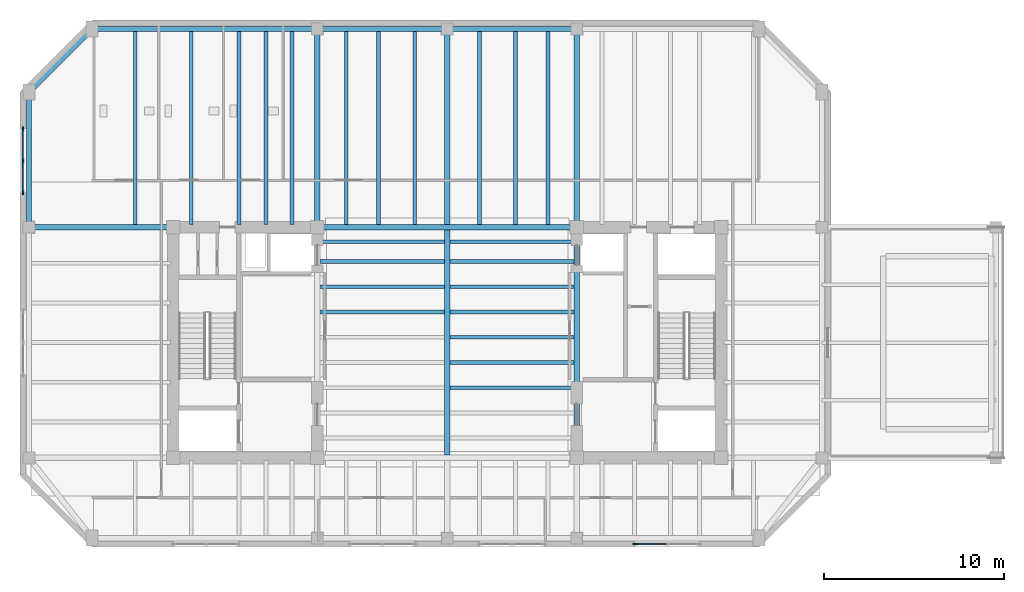
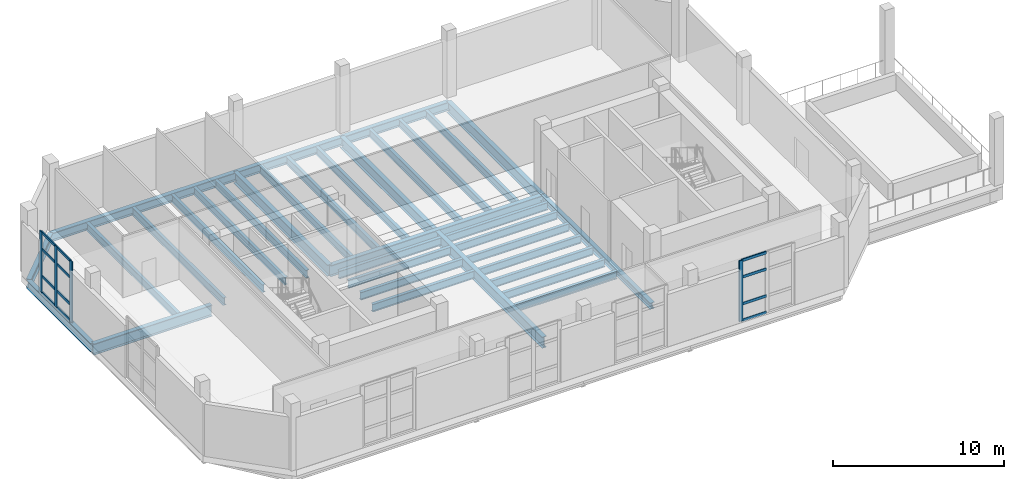
# One storey, part 3 of 11: 34 beams, 16 members, 2 elements without a shape of their own.
"""IFC4 building model written with IfcOpenShell, lengths in metres."""

from ifc_helpers import new_model, si_unit, direction, frame, origin, origin_2d, place, context, subcontext, project, spatial, rectangle, i_section, extrude, material, layer, layer_set, material_profile, profile_set, type_object, element, aggregate, save


model = new_model("IFC4")

# Units and contexts
model_context = context("Model", 3, precision=1e-05, world=origin(), true_north=direction((0.0, 1.0)))
body_context = subcontext(model_context, "Body", "Model", "MODEL_VIEW")
ifc_project = project(units=[si_unit("LENGTHUNIT", "METRE"), si_unit("AREAUNIT", "SQUARE_METRE"), si_unit("VOLUMEUNIT", "CUBIC_METRE"), si_unit("PLANEANGLEUNIT", "RADIAN"), si_unit("MASSUNIT", "GRAM", prefix="KILO")], contexts=[model_context])

# Site, building, storey
site_placement = place(None, origin())
site = spatial("IfcSite", under=ifc_project, at=site_placement, CompositionType="ELEMENT")
building_placement = place(site_placement, origin())
building = spatial("IfcBuilding", under=site, at=building_placement, Name="Kranthara Brick Stack", CompositionType="ELEMENT")
storey_placement = place(building_placement, frame((0.0, 0.0, 287.39990234375)))
storey = spatial("IfcBuildingStorey", under=building, at=storey_placement, Name="L76", CompositionType="ELEMENT", Elevation=287.39990234375)

# Beams
ifc_material_1 = material(Name="Steel S355", Category="steel")
ifc_material_profile_1 = material_profile(ifc_material_1, i_section(OverallWidth=0.2099609375, OverallDepth=0.550048828125, WebThickness=0.010986328125, FlangeThickness=0.01708984375, at=origin_2d()), Name="IPE 550")
ifc_profile_set_1 = profile_set([ifc_material_profile_1], Name="Steel S355")
beam_type_1 = type_object("IfcBeamType", Name="BM-JST-IPE550", PredefinedType="JOIST", material=ifc_profile_set_1)
for number, where, z_axis, x_axis, name in (
    (1, (28.14990234375, 24.699951171875, -0.724853515625), (1.0, 0.0, 0.0), (0.0, 1.0, 0.0), "L76 Central Floor Joist 037"),
    (2, (28.14990234375, 26.10009765625, -0.724853515625), (1.0, 0.0, 0.0), (0.0, 1.0, 0.0), "L76 Central Floor Joist 039"),
    (3, (28.14990234375, 27.5, -0.724853515625), (1.0, 0.0, 0.0), (0.0, 1.0, 0.0), "L76 Central Floor Joist 041"),
    (4, (20.949951171875, 28.89990234375, -0.724853515625), (1.0, 0.0, 0.0), (0.0, 1.0, 0.0), "L76 Central Floor Joist 042"),
    (5, (28.14990234375, 28.89990234375, -0.724853515625), (1.0, 0.0, 0.0), (0.0, 1.0, 0.0), "L76 Central Floor Joist 043"),
    (6, (20.949951171875, 30.300048828125, -0.724853515625), (1.0, 0.0, 0.0), (0.0, 1.0, 0.0), "L76 Central Floor Joist 044"),
    (7, (28.14990234375, 30.300048828125, -0.724853515625), (1.0, 0.0, 0.0), (0.0, 1.0, 0.0), "L76 Central Floor Joist 045"),
    (8, (20.949951171875, 31.699951171875, -0.724853515625), (1.0, 0.0, 0.0), (0.0, 1.0, 0.0), "L76 Central Floor Joist 046"),
    (9, (28.14990234375, 31.699951171875, -0.724853515625), (1.0, 0.0, 0.0), (0.0, 1.0, 0.0), "L76 Central Floor Joist 047"),
    (10, (20.949951171875, 32.800048828125, -0.724853515625), (1.0, 0.0, 0.0), (0.0, 1.0, 0.0), "L76 Central Floor Joist 048"),
    (11, (28.14990234375, 32.800048828125, -0.724853515625), (1.0, 0.0, 0.0), (0.0, 1.0, 0.0), "L76 Central Floor Joist 049"),
):
    element("IfcBeam", number, at=place(storey_placement, frame(where, z_axis=z_axis, x_axis=x_axis)), inside=storey, type_object=beam_type_1, Name=name, PredefinedType="JOIST", context=body_context, shape_type="SweptSolid", body=[
        extrude(i_section(OverallWidth=0.2099609375, OverallDepth=0.550048828125, WebThickness=0.010986328125, FlangeThickness=0.01708984375, at=origin_2d()), origin(), (0.0, 0.0, 1.0), 6.900146484375),
    ])
for number, where, z_axis, x_axis, name in (
    (12, (10.699951171875, 33.75, -0.724853515625), (0.0, 1.0, 0.0), (-1.0, 0.0, 0.0), "L76 North Wing Floor Joist 051"),
    (13, (13.800048828125, 33.75, -0.724853515625), (0.0, 1.0, 0.0), (-1.0, 0.0, 0.0), "L76 North Wing Floor Joist 053"),
    (14, (16.449951171875, 33.75, -0.724853515625), (0.0, 1.0, 0.0), (-1.0, 0.0, 0.0), "L76 North Wing Floor Joist 055"),
    (15, (17.949951171875, 33.75, -0.724853515625), (0.0, 1.0, 0.0), (-1.0, 0.0, 0.0), "L76 North Wing Floor Joist 057"),
    (16, (19.39990234375, 33.75, -0.724853515625), (0.0, 1.0, 0.0), (-1.0, 0.0, 0.0), "L76 North Wing Floor Joist 059"),
    (17, (22.39990234375, 33.75, -0.724853515625), (0.0, 1.0, 0.0), (-1.0, 0.0, 0.0), "L76 North Wing Floor Joist 061"),
    (18, (24.199951171875, 33.75, -0.724853515625), (0.0, 1.0, 0.0), (-1.0, 0.0, 0.0), "L76 North Wing Floor Joist 063"),
    (19, (26.199951171875, 33.75, -0.724853515625), (0.0, 1.0, 0.0), (-1.0, 0.0, 0.0), "L76 North Wing Floor Joist 065"),
    (20, (29.800048828125, 33.75, -0.724853515625), (0.0, 1.0, 0.0), (-1.0, 0.0, 0.0), "L76 North Wing Floor Joist 067"),
    (21, (31.800048828125, 33.75, -0.724853515625), (0.0, 1.0, 0.0), (-1.0, 0.0, 0.0), "L76 North Wing Floor Joist 069"),
    (22, (33.60009765625, 33.75, -0.724853515625), (0.0, 1.0, 0.0), (-1.0, 0.0, 0.0), "L76 North Wing Floor Joist 071"),
):
    element("IfcBeam", number, at=place(storey_placement, frame(where, z_axis=z_axis, x_axis=x_axis)), inside=storey, type_object=beam_type_1, Name=name, PredefinedType="JOIST", context=body_context, shape_type="SweptSolid", body=[
        extrude(i_section(OverallWidth=0.2099609375, OverallDepth=0.550048828125, WebThickness=0.010986328125, FlangeThickness=0.01708984375, at=origin_2d()), origin(), (0.0, 0.0, 1.0), 10.699951171875),
    ])
ifc_material_2 = material(Name="Steel S355", Category="steel")
ifc_material_profile_2 = material_profile(ifc_material_2, i_section(OverallWidth=0.300048828125, OverallDepth=0.449951171875, WebThickness=0.013916015625, FlangeThickness=0.02587890625, at=origin_2d()), Name="HEB 450")
ifc_profile_set_2 = profile_set([ifc_material_profile_2], Name="Steel S355")
beam_type_2 = type_object("IfcBeamType", Name="BM-STL-HEB450", PredefinedType="SPANDREL", material=ifc_profile_set_2)
beam_1_placement = place(storey_placement, frame((35.199951171875, 20.800048828125, -0.6748046875), z_axis=(0.0, 1.0, 0.0), x_axis=(-1.0, 0.0, 0.0)))
element("IfcBeam", 23, at=beam_1_placement, inside=storey, type_object=beam_type_2, Name="L76 Core Edge Tie Beam 004", PredefinedType="SPANDREL", context=body_context, shape_type="SweptSolid", body=[
    extrude(i_section(OverallWidth=0.300048828125, OverallDepth=0.449951171875, WebThickness=0.013916015625, FlangeThickness=0.02587890625, at=origin_2d()), origin(), (0.0, 0.0, 1.0), 12.800048828125),
])
ifc_material_3 = material(Name="Steel S355", Category="steel")
ifc_material_profile_3 = material_profile(ifc_material_3, i_section(OverallWidth=0.300048828125, OverallDepth=0.60009765625, WebThickness=0.015380859375, FlangeThickness=0.030029296875, at=origin_2d()), Name="HEB 600")
ifc_profile_set_3 = profile_set([ifc_material_profile_3], Name="Steel S355")
beam_type_3 = type_object("IfcBeamType", Name="BM-STL-HEB600", PredefinedType="BEAM", material=ifc_profile_set_3)
beam_2_placement = place(storey_placement, frame((8.300048828125, 44.60009765625, -0.75), z_axis=(1.0, 0.0, 0.0), x_axis=(0.0, 1.0, 0.0)))
element("IfcBeam", 24, at=beam_2_placement, inside=storey, type_object=beam_type_3, Name="L76 Perimeter Spandrel Beam 009", PredefinedType="BEAM", context=body_context, shape_type="SweptSolid", body=[
    extrude(i_section(OverallWidth=0.300048828125, OverallDepth=0.60009765625, WebThickness=0.015380859375, FlangeThickness=0.030029296875, at=origin_2d()), origin(), (0.0, 0.0, 1.0), 12.5),
])
for number, where, z_axis, x_axis, name in (
    (25, (20.800048828125, 44.60009765625, -0.75), (1.0, 0.0, 0.0), (0.0, 1.0, 0.0), "L76 Perimeter Spandrel Beam 010"),
    (26, (28.0, 44.60009765625, -0.75), (1.0, 0.0, 0.0), (0.0, 1.0, 0.0), "L76 Perimeter Spandrel Beam 011"),
):
    element("IfcBeam", number, at=place(storey_placement, frame(where, z_axis=z_axis, x_axis=x_axis)), inside=storey, type_object=beam_type_3, Name=name, PredefinedType="BEAM", context=body_context, shape_type="SweptSolid", body=[
        extrude(i_section(OverallWidth=0.300048828125, OverallDepth=0.60009765625, WebThickness=0.015380859375, FlangeThickness=0.030029296875, at=origin_2d()), origin(), (0.0, 0.0, 1.0), 7.199951171875),
    ])
beam_3_placement = place(storey_placement, frame((4.800048828125, 33.60009765625, -0.75), z_axis=(0.0, 1.0, 0.0), x_axis=(-1.0, 0.0, 0.0)))
element("IfcBeam", 27, at=beam_3_placement, inside=storey, type_object=beam_type_3, Name="L76 Perimeter Spandrel Beam 014", PredefinedType="BEAM", context=body_context, shape_type="SweptSolid", body=[
    extrude(i_section(OverallWidth=0.300048828125, OverallDepth=0.60009765625, WebThickness=0.015380859375, FlangeThickness=0.030029296875, at=origin_2d()), origin(), (0.0, 0.0, 1.0), 7.5),
])
beam_4_placement = place(storey_placement, frame((8.300048828125, 44.60009765625, -0.75), z_axis=(-0.707106781187, -0.707106781187, 0.0), x_axis=(0.707106781187, -0.707106781187, 0.0)))
element("IfcBeam", 28, at=beam_4_placement, inside=storey, type_object=beam_type_3, Name="L76 Chamfer Corner Spandrel 019", PredefinedType="BEAM", context=body_context, shape_type="SweptSolid", body=[
    extrude(i_section(OverallWidth=0.300048828125, OverallDepth=0.60009765625, WebThickness=0.015380859375, FlangeThickness=0.030029296875, at=origin_2d()), origin(), (0.0, 0.0, 1.0), 4.94970703125),
])
ifc_material_4 = material(Name="Steel S355", Category="steel")
ifc_material_profile_4 = material_profile(ifc_material_4, i_section(OverallWidth=0.300048828125, OverallDepth=0.800048828125, WebThickness=0.017578125, FlangeThickness=0.032958984375, at=origin_2d()), Name="HEB 800")
ifc_profile_set_4 = profile_set([ifc_material_profile_4], Name="Steel S355")
beam_type_4 = type_object("IfcBeamType", Name="BM-TR-HEB800", PredefinedType="BEAM", material=ifc_profile_set_4)
beam_5_placement = place(storey_placement, frame((20.800048828125, 33.60009765625, -0.849853515625), z_axis=(1.0, 0.0, 0.0), x_axis=(0.0, 1.0, 0.0)))
element("IfcBeam", 29, at=beam_5_placement, inside=storey, type_object=beam_type_4, Name="L76 Core Coupling Beam 002", PredefinedType="BEAM", context=body_context, shape_type="SweptSolid", body=[
    extrude(i_section(OverallWidth=0.300048828125, OverallDepth=0.800048828125, WebThickness=0.017578125, FlangeThickness=0.032958984375, at=origin_2d()), origin(), (0.0, 0.0, 1.0), 14.39990234375),
])
beam_6_placement = place(storey_placement, frame((20.800048828125, 33.60009765625, -0.849853515625), z_axis=(0.0, 1.0, 0.0), x_axis=(-1.0, 0.0, 0.0)))
element("IfcBeam", 30, at=beam_6_placement, inside=storey, type_object=beam_type_4, Name="L76 Primary Grid Girder 022", PredefinedType="BEAM", context=body_context, shape_type="SweptSolid", body=[
    extrude(i_section(OverallWidth=0.300048828125, OverallDepth=0.800048828125, WebThickness=0.017578125, FlangeThickness=0.032958984375, at=origin_2d()), origin(), (0.0, 0.0, 1.0), 11.0),
])
beam_7_placement = place(storey_placement, frame((28.0, 20.949951171875, -0.849853515625), z_axis=(0.0, 1.0, 0.0), x_axis=(-1.0, 0.0, 0.0)))
element("IfcBeam", 31, at=beam_7_placement, inside=storey, type_object=beam_type_4, Name="L76 Central Spine Girder 024", PredefinedType="BEAM", context=body_context, shape_type="SweptSolid", body=[
    extrude(i_section(OverallWidth=0.300048828125, OverallDepth=0.800048828125, WebThickness=0.017578125, FlangeThickness=0.032958984375, at=origin_2d()), origin(), (0.0, 0.0, 1.0), 12.5),
])
beam_8_placement = place(storey_placement, frame((28.0, 33.75, -0.849853515625), z_axis=(0.0, 1.0, 0.0), x_axis=(-1.0, 0.0, 0.0)))
element("IfcBeam", 32, at=beam_8_placement, inside=storey, type_object=beam_type_4, Name="L76 Primary Grid Girder 025", PredefinedType="BEAM", context=body_context, shape_type="SweptSolid", body=[
    extrude(i_section(OverallWidth=0.300048828125, OverallDepth=0.800048828125, WebThickness=0.017578125, FlangeThickness=0.032958984375, at=origin_2d()), origin(), (0.0, 0.0, 1.0), 10.85009765625),
])
beam_9_placement = place(storey_placement, frame((35.199951171875, 33.60009765625, -0.849853515625), z_axis=(0.0, 1.0, 0.0), x_axis=(-1.0, 0.0, 0.0)))
element("IfcBeam", 33, at=beam_9_placement, inside=storey, type_object=beam_type_4, Name="L76 Primary Grid Girder 027", PredefinedType="BEAM", context=body_context, shape_type="SweptSolid", body=[
    extrude(i_section(OverallWidth=0.300048828125, OverallDepth=0.800048828125, WebThickness=0.017578125, FlangeThickness=0.032958984375, at=origin_2d()), origin(), (0.0, 0.0, 1.0), 11.0),
])
beam_10_placement = place(storey_placement, frame((4.800048828125, 33.60009765625, -0.849853515625), z_axis=(1.0, 0.0, 0.0), x_axis=(0.0, 1.0, 0.0)))
element("IfcBeam", 34, at=beam_10_placement, inside=storey, type_object=beam_type_4, Name="L76 Primary Grid Girder 030", PredefinedType="BEAM", context=body_context, shape_type="SweptSolid", body=[
    extrude(i_section(OverallWidth=0.300048828125, OverallDepth=0.800048828125, WebThickness=0.017578125, FlangeThickness=0.032958984375, at=origin_2d()), origin(), (0.0, 0.0, 1.0), 8.0),
])

# Curtain wall, member
ifc_material_5 = material(Name="Bronze anodised aluminium and low-E glass", Category="aluminium")
ifc_layer = layer(ifc_material_5, 0.239990234375)
ifc_layer_set = layer_set([ifc_layer], Name="Bronze anodised aluminium and low-E glass")
curtain_wall_type = type_object("IfcCurtainWallType", Name="CW-SYS5-SKYPOOL", PredefinedType="USERDEFINED", material=ifc_layer_set)
curtain_wall_1_placement = place(storey_placement, origin())
curtain_wall_1 = element("IfcCurtainWall", 35, at=curtain_wall_1_placement, inside=storey, type_object=curtain_wall_type, Name="L76 Curtain Wall CW5-L76-01", ObjectType="UNITISED CURTAIN WALL", PredefinedType="USERDEFINED")
ifc_material_6 = material(Name="Bronze anodised aluminium 6063-T6", Category="aluminium")
ifc_material_profile_5 = material_profile(ifc_material_6, rectangle(XDim=0.080078125, YDim=0.25, at=origin_2d()), Name="ALU MULLION 80x250")
ifc_profile_set_5 = profile_set([ifc_material_profile_5], Name="Bronze anodised aluminium 6063-T6")
member_type_1 = type_object("IfcMemberType", Name="CWM-80x250", PredefinedType="MULLION", material=ifc_profile_set_5)
member_1_placement = place(storey_placement, frame((38.427978515625, 16.02001953125, 0.0), z_axis=(0.0, 0.0, 1.0), x_axis=(0.0, -1.0, 0.0)))
member_1 = element("IfcMember", 36, at=member_1_placement, type_object=member_type_1, Name="CW mullion 3", PredefinedType="MULLION", context=body_context, shape_type="SweptSolid", body=[
    extrude(rectangle(XDim=0.080078125, YDim=0.25, at=origin_2d()), origin(), (0.0, 0.0, 1.0), 4.35009765625),
])

# Curtain wall, members
curtain_wall_2_placement = place(storey_placement, origin())
curtain_wall_2 = element("IfcCurtainWall", 37, at=curtain_wall_2_placement, inside=storey, type_object=curtain_wall_type, Name="L76 Curtain Wall CW5-L76-06", ObjectType="UNITISED CURTAIN WALL", PredefinedType="USERDEFINED")
member_2_placement = place(storey_placement, frame((4.469970703125, 35.527099609375, 0.0), z_axis=(0.0, 0.0, 1.0), x_axis=(-1.0, 0.0, 0.0)))
member_2 = element("IfcMember", 38, at=member_2_placement, type_object=member_type_1, Name="CW mullion 1", PredefinedType="MULLION", context=body_context, shape_type="SweptSolid", body=[
    extrude(rectangle(XDim=0.080078125, YDim=0.25, at=origin_2d()), origin(), (0.0, 0.0, 1.0), 4.35009765625),
])
member_3_placement = place(storey_placement, frame((4.469970703125, 37.28759765625, 0.0), z_axis=(0.0, 0.0, 1.0), x_axis=(-1.0, 0.0, 0.0)))
member_3 = element("IfcMember", 39, at=member_3_placement, type_object=member_type_1, Name="CW mullion 2", PredefinedType="MULLION", context=body_context, shape_type="SweptSolid", body=[
    extrude(rectangle(XDim=0.080078125, YDim=0.25, at=origin_2d()), origin(), (0.0, 0.0, 1.0), 4.35009765625),
])
member_4_placement = place(storey_placement, frame((4.469970703125, 39.048095703125, 0.0), z_axis=(0.0, 0.0, 1.0), x_axis=(-1.0, 0.0, 0.0)))
member_4 = element("IfcMember", 40, at=member_4_placement, type_object=member_type_1, Name="CW mullion 3", PredefinedType="MULLION", context=body_context, shape_type="SweptSolid", body=[
    extrude(rectangle(XDim=0.080078125, YDim=0.25, at=origin_2d()), origin(), (0.0, 0.0, 1.0), 4.35009765625),
])

# Member
ifc_material_7 = material(Name="Bronze anodised aluminium 6063-T6", Category="aluminium")
ifc_material_profile_6 = material_profile(ifc_material_7, rectangle(XDim=0.080078125, YDim=0.18994140625, at=origin_2d()), Name="ALU TRANSOM 80x190")
ifc_profile_set_6 = profile_set([ifc_material_profile_6], Name="Bronze anodised aluminium 6063-T6")
member_type_2 = type_object("IfcMemberType", Name="CWT-80x190", PredefinedType="USERDEFINED", material=ifc_profile_set_6)
member_5_placement = place(storey_placement, frame((40.14794921875, 16.02001953125, 0.0400390625), z_axis=(-1.0, 0.0, 0.0), x_axis=(0.0, -1.0, 0.0)))
member_5 = element("IfcMember", 41, at=member_5_placement, type_object=member_type_2, Name="CW transom 2.1", ObjectType="TRANSOM", PredefinedType="USERDEFINED", context=body_context, shape_type="SweptSolid", body=[
    extrude(rectangle(XDim=0.080078125, YDim=0.18994140625, at=origin_2d()), origin(), (0.0, 0.0, 1.0), 1.679931640625),
])

member_6_placement = place(storey_placement, frame((40.14794921875, 16.02001953125, 1.218017578125), z_axis=(-1.0, 0.0, 0.0), x_axis=(0.0, -1.0, 0.0)))
member_6 = element("IfcMember", 42, at=member_6_placement, type_object=member_type_2, Name="CW transom 2.2", ObjectType="TRANSOM", PredefinedType="USERDEFINED", context=body_context, shape_type="SweptSolid", body=[
    extrude(rectangle(XDim=0.080078125, YDim=0.18994140625, at=origin_2d()), origin(), (0.0, 0.0, 1.0), 1.679931640625),
])

member_7_placement = place(storey_placement, frame((40.14794921875, 16.02001953125, 3.132080078125), z_axis=(-1.0, 0.0, 0.0), x_axis=(0.0, -1.0, 0.0)))
member_7 = element("IfcMember", 43, at=member_7_placement, type_object=member_type_2, Name="CW transom 2.3", ObjectType="TRANSOM", PredefinedType="USERDEFINED", context=body_context, shape_type="SweptSolid", body=[
    extrude(rectangle(XDim=0.080078125, YDim=0.18994140625, at=origin_2d()), origin(), (0.0, 0.0, 1.0), 1.679931640625),
])

member_8_placement = place(storey_placement, frame((40.14794921875, 16.02001953125, 4.31005859375), z_axis=(-1.0, 0.0, 0.0), x_axis=(0.0, -1.0, 0.0)))
member_8 = element("IfcMember", 44, at=member_8_placement, type_object=member_type_2, Name="CW transom 2.4", ObjectType="TRANSOM", PredefinedType="USERDEFINED", context=body_context, shape_type="SweptSolid", body=[
    extrude(rectangle(XDim=0.080078125, YDim=0.18994140625, at=origin_2d()), origin(), (0.0, 0.0, 1.0), 1.679931640625),
])

aggregate(curtain_wall_1, [member_1, member_5, member_6, member_7, member_8])

member_9_placement = place(storey_placement, frame((4.469970703125, 35.56689453125, 0.0400390625), z_axis=(0.0, 1.0, 0.0), x_axis=(-1.0, 0.0, 0.0)))
member_9 = element("IfcMember", 45, at=member_9_placement, type_object=member_type_2, Name="CW transom 1.1", ObjectType="TRANSOM", PredefinedType="USERDEFINED", context=body_context, shape_type="SweptSolid", body=[
    extrude(rectangle(XDim=0.080078125, YDim=0.18994140625, at=origin_2d()), origin(), (0.0, 0.0, 1.0), 1.6806640625),
])

member_10_placement = place(storey_placement, frame((4.469970703125, 35.56689453125, 1.218017578125), z_axis=(0.0, 1.0, 0.0), x_axis=(-1.0, 0.0, 0.0)))
member_10 = element("IfcMember", 46, at=member_10_placement, type_object=member_type_2, Name="CW transom 1.2", ObjectType="TRANSOM", PredefinedType="USERDEFINED", context=body_context, shape_type="SweptSolid", body=[
    extrude(rectangle(XDim=0.080078125, YDim=0.18994140625, at=origin_2d()), origin(), (0.0, 0.0, 1.0), 1.6806640625),
])

member_11_placement = place(storey_placement, frame((4.469970703125, 35.56689453125, 3.132080078125), z_axis=(0.0, 1.0, 0.0), x_axis=(-1.0, 0.0, 0.0)))
member_11 = element("IfcMember", 47, at=member_11_placement, type_object=member_type_2, Name="CW transom 1.3", ObjectType="TRANSOM", PredefinedType="USERDEFINED", context=body_context, shape_type="SweptSolid", body=[
    extrude(rectangle(XDim=0.080078125, YDim=0.18994140625, at=origin_2d()), origin(), (0.0, 0.0, 1.0), 1.6806640625),
])

member_12_placement = place(storey_placement, frame((4.469970703125, 35.56689453125, 4.31005859375), z_axis=(0.0, 1.0, 0.0), x_axis=(-1.0, 0.0, 0.0)))
member_12 = element("IfcMember", 48, at=member_12_placement, type_object=member_type_2, Name="CW transom 1.4", ObjectType="TRANSOM", PredefinedType="USERDEFINED", context=body_context, shape_type="SweptSolid", body=[
    extrude(rectangle(XDim=0.080078125, YDim=0.18994140625, at=origin_2d()), origin(), (0.0, 0.0, 1.0), 1.6806640625),
])

member_13_placement = place(storey_placement, frame((4.469970703125, 37.327392578125, 0.0400390625), z_axis=(0.0, 1.0, 0.0), x_axis=(-1.0, 0.0, 0.0)))
member_13 = element("IfcMember", 49, at=member_13_placement, type_object=member_type_2, Name="CW transom 2.1", ObjectType="TRANSOM", PredefinedType="USERDEFINED", context=body_context, shape_type="SweptSolid", body=[
    extrude(rectangle(XDim=0.080078125, YDim=0.18994140625, at=origin_2d()), origin(), (0.0, 0.0, 1.0), 1.6806640625),
])

member_14_placement = place(storey_placement, frame((4.469970703125, 37.327392578125, 1.218017578125), z_axis=(0.0, 1.0, 0.0), x_axis=(-1.0, 0.0, 0.0)))
member_14 = element("IfcMember", 50, at=member_14_placement, type_object=member_type_2, Name="CW transom 2.2", ObjectType="TRANSOM", PredefinedType="USERDEFINED", context=body_context, shape_type="SweptSolid", body=[
    extrude(rectangle(XDim=0.080078125, YDim=0.18994140625, at=origin_2d()), origin(), (0.0, 0.0, 1.0), 1.6806640625),
])

member_15_placement = place(storey_placement, frame((4.469970703125, 37.327392578125, 3.132080078125), z_axis=(0.0, 1.0, 0.0), x_axis=(-1.0, 0.0, 0.0)))
member_15 = element("IfcMember", 51, at=member_15_placement, type_object=member_type_2, Name="CW transom 2.3", ObjectType="TRANSOM", PredefinedType="USERDEFINED", context=body_context, shape_type="SweptSolid", body=[
    extrude(rectangle(XDim=0.080078125, YDim=0.18994140625, at=origin_2d()), origin(), (0.0, 0.0, 1.0), 1.6806640625),
])

member_16_placement = place(storey_placement, frame((4.469970703125, 37.327392578125, 4.31005859375), z_axis=(0.0, 1.0, 0.0), x_axis=(-1.0, 0.0, 0.0)))
member_16 = element("IfcMember", 52, at=member_16_placement, type_object=member_type_2, Name="CW transom 2.4", ObjectType="TRANSOM", PredefinedType="USERDEFINED", context=body_context, shape_type="SweptSolid", body=[
    extrude(rectangle(XDim=0.080078125, YDim=0.18994140625, at=origin_2d()), origin(), (0.0, 0.0, 1.0), 1.6806640625),
])

aggregate(curtain_wall_2, [member_2, member_3, member_4, member_9, member_10, member_11, member_12, member_13, member_14, member_15, member_16])

save(model, "model.ifc")
